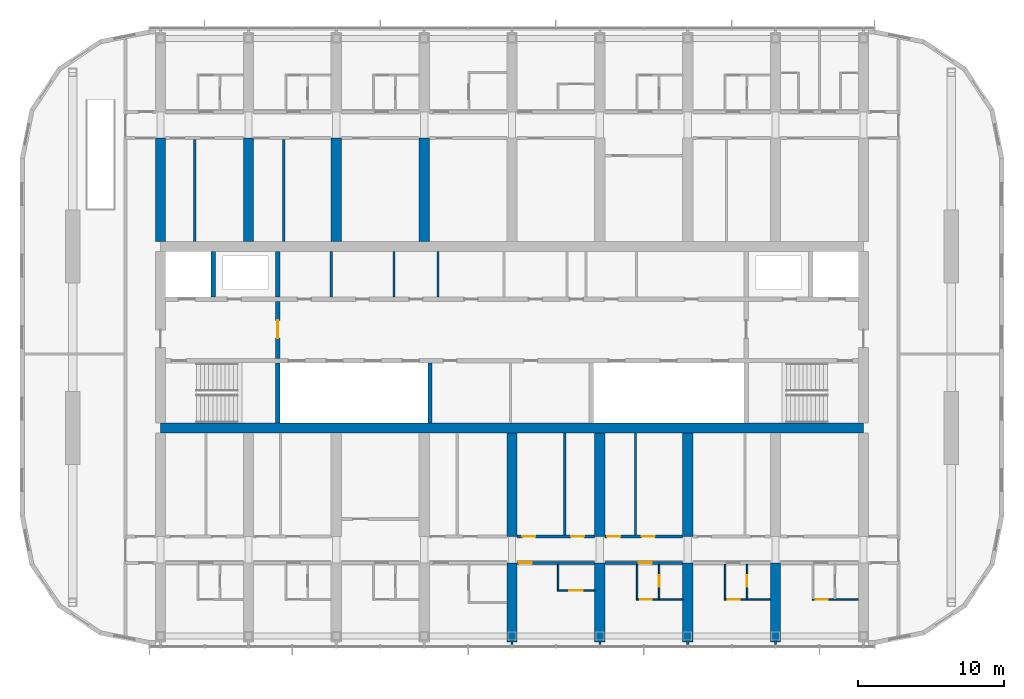
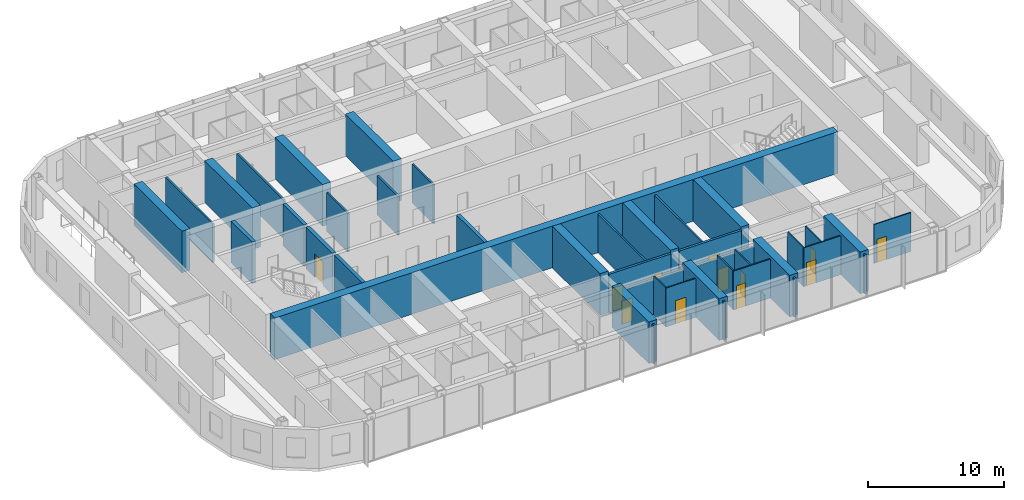
# One storey, part 12 of 23: 41 walls, 13 doors, 13 openings.
"""IFC4 building model written with IfcOpenShell, lengths in metres."""

from ifc_helpers import new_model, si_unit, direction, frame, frame_2d, origin, place, context, subcontext, project, spatial, polyline, rectangle, outline, extrude, material, layer, layer_set, type_object, element, fill, save


model = new_model("IFC4")

# Units and contexts
model_context = context("Model", 3, precision=1e-05, world=origin(), true_north=direction((0.0, 1.0)))
body_context = subcontext(model_context, "Body", "Model", "MODEL_VIEW")
ifc_project = project(units=[si_unit("LENGTHUNIT", "METRE"), si_unit("AREAUNIT", "SQUARE_METRE"), si_unit("VOLUMEUNIT", "CUBIC_METRE"), si_unit("PLANEANGLEUNIT", "RADIAN"), si_unit("MASSUNIT", "GRAM", prefix="KILO")], contexts=[model_context])

# Site, building, storey
site_placement = place(None, origin())
site = spatial("IfcSite", under=ifc_project, at=site_placement, CompositionType="ELEMENT")
building_placement = place(site_placement, origin())
building = spatial("IfcBuilding", under=site, at=building_placement, Name="Orbita Commons", CompositionType="ELEMENT")
storey_placement = place(building_placement, frame((0.0, 0.0, 250.300048828125)))
storey = spatial("IfcBuildingStorey", under=building, at=storey_placement, Name="L62", CompositionType="ELEMENT", Elevation=250.300048828125)

# Wall
ifc_material_1 = material(Name="Concrete C50/60", Category="concrete")
ifc_layer_1 = layer(ifc_material_1, 0.300048828125)
ifc_layer_set_1 = layer_set([ifc_layer_1], Name="Concrete C50/60")
wall_type_1 = type_object("IfcWallType", Name="Core inner wall 300 C50/60", PredefinedType="SHEAR", material=ifc_layer_set_1)
wall_1_placement = place(storey_placement, frame((26.0, 26.14990234375, 0.0), z_axis=(0.0, 0.0, 1.0), x_axis=(0.0, 1.0, 0.0)))
element("IfcWall", 1, at=wall_1_placement, inside=storey, type_object=wall_type_1, Name="Stair S1 wall L62", PredefinedType="SHEAR", context=body_context, shape_type="SweptSolid", body=[
    extrude(rectangle(XDim=4.10009765625, YDim=0.300048828125, at=frame_2d((2.050048828125, 0.0))), origin(), (0.0, 0.0, 1.0), 3.75),
])

# Wall, opening, door
wall_2_placement = place(storey_placement, frame((26.0, 30.550048828125, 0.0), z_axis=(0.0, 0.0, 1.0), x_axis=(0.0, 1.0, 0.0)))
wall_2 = element("IfcWall", 2, at=wall_2_placement, inside=storey, type_object=wall_type_1, Name="Firefighting lobby wall west L62", PredefinedType="SHEAR", context=body_context, shape_type="SweptSolid", body=[
    extrude(rectangle(XDim=3.89990234375, YDim=0.300048828125, at=frame_2d((1.949951171875, 0.0))), origin(), (0.0, 0.0, 1.0), 3.75),
])
opening_1_placement = place(wall_2_placement, frame((1.39990234375, 0.0, 0.0)))
opening_1 = element("IfcOpeningElement", 3, at=opening_1_placement, cuts=wall_2, Name="Opening D04", PredefinedType="OPENING", context=body_context, shape_type="SweptSolid", body=[
    extrude(rectangle(XDim=1.199951171875, YDim=2.10009765625, at=frame_2d((0.60009765625, 1.050048828125))), frame((0.0, 0.159912109375, 0.0), z_axis=(0.0, -1.0, 0.0), x_axis=(1.0, 0.0, 0.0)), (0.0, 0.0, 1.0), 0.320068359375),
])
ifc_material_2 = material(Name="Steel-faced fire door leaf", Category="steel")
door_type_1 = type_object("IfcDoorType", Name="Service door 20 min 1200x2100", OperationType="SINGLE_SWING_LEFT", PredefinedType="DOOR", material=ifc_material_2)
door_1_placement = place(opening_1_placement, origin())
door_1 = element("IfcDoor", 4, at=door_1_placement, inside=storey, type_object=door_type_1, Name="Lift lobby door west", OperationType="SINGLE_SWING_LEFT", OverallHeight=2.10009765625, OverallWidth=1.199951171875, PredefinedType="DOOR", context=body_context, shape_type="SweptSolid", body=[
    extrude(rectangle(XDim=1.199951171875, YDim=2.10009765625, at=frame_2d((0.60009765625, 1.050048828125))), frame((0.0, 0.02490234375, 0.0), z_axis=(0.0, -1.0, 0.0), x_axis=(1.0, 0.0, 0.0)), (0.0, 0.0, 1.0), 0.050048828125),
])
fill(opening_1, door_1)

# Walls
for number, where, z_axis, x_axis, name in (
    (5, (21.60009765625, 34.75, 0.0), (0.0, 0.0, 1.0), (0.0, 1.0, 0.0), "Firefighting lift FL1 shaft wall L62"),
    (6, (26.0, 34.75, 0.0), (0.0, 0.0, 1.0), (0.0, 1.0, 0.0), "Riser wall west L62"),
):
    element("IfcWall", number, at=place(storey_placement, frame(where, z_axis=z_axis, x_axis=x_axis)), inside=storey, type_object=wall_type_1, Name=name, PredefinedType="SHEAR", context=body_context, shape_type="SweptSolid", body=[
        extrude(rectangle(XDim=3.10009765625, YDim=0.300048828125, at=frame_2d((1.550048828125, 0.0))), origin(), (0.0, 0.0, 1.0), 3.75),
    ])
wall_3_placement = place(storey_placement, frame((36.39990234375, 26.14990234375, 0.0), z_axis=(0.0, 0.0, 1.0), x_axis=(0.0, 1.0, 0.0)))
element("IfcWall", 7, at=wall_3_placement, inside=storey, type_object=wall_type_1, Name="Hoistway division wall L62", PredefinedType="SHEAR", context=body_context, shape_type="SweptSolid", body=[
    extrude(rectangle(XDim=4.10009765625, YDim=0.300048828125, at=frame_2d((2.050048828125, 0.0))), origin(), (0.0, 0.0, 1.0), 3.75),
])
ifc_material_3 = material(Name="Concrete blockwork", Category="masonry")
ifc_layer_2 = layer(ifc_material_3, 0.14990234375)
ifc_layer_set_2 = layer_set([ifc_layer_2], Name="Concrete blockwork")
wall_type_2 = type_object("IfcWallType", Name="Core partition 150 blockwork", PredefinedType="SOLIDWALL", material=ifc_layer_set_2)
for number, where, z_axis, x_axis, name in (
    (8, (29.65087890625, 34.75, 0.0), (0.0, 0.0, 1.0), (0.0, 1.0, 0.0), "Core partition 150 blockwork L62"),
    (9, (33.9462890625, 34.75, 0.0), (0.0, 0.0, 1.0), (0.0, 1.0, 0.0), "Core partition 150 blockwork L62"),
    (10, (36.9462890625, 34.75, 0.0), (0.0, 0.0, 1.0), (0.0, 1.0, 0.0), "Core partition 150 blockwork L62"),
):
    element("IfcWall", number, at=place(storey_placement, frame(where, z_axis=z_axis, x_axis=x_axis)), inside=storey, type_object=wall_type_2, Name=name, PredefinedType="SOLIDWALL", context=body_context, shape_type="SweptSolid", body=[
        extrude(rectangle(XDim=3.10009765625, YDim=0.14990234375, at=frame_2d((1.550048828125, 0.0))), origin(), (0.0, 0.0, 1.0), 3.5),
    ])
ifc_material_4 = material(Name="Concrete C50/60", Category="concrete")
ifc_layer_3 = layer(ifc_material_4, 0.699951171875)
ifc_layer_set_3 = layer_set([ifc_layer_3], Name="Concrete C50/60")
wall_type_3 = type_object("IfcWallType", Name="Core wall 700 C50/60", PredefinedType="SHEAR", material=ifc_layer_set_3)
wall_4_placement = place(storey_placement, frame((18.0, 25.800048828125, 0.0), z_axis=(0.0, 0.0, 1.0), x_axis=(1.0, 0.0, 0.0)))
element("IfcWall", 11, at=wall_4_placement, inside=storey, type_object=wall_type_3, Name="Core spine wall south L62", PredefinedType="SHEAR", context=body_context, shape_type="SweptSolid", body=[
    extrude(rectangle(XDim=48.0, YDim=0.699951171875, at=frame_2d((24.0, 0.0))), origin(), (0.0, 0.0, 1.0), 3.75),
])

# Wall, opening, door
ifc_material_5 = material(Name="Concrete blockwork", Category="masonry")
ifc_layer_4 = layer(ifc_material_5, 0.199951171875)
ifc_layer_set_4 = layer_set([ifc_layer_4], Name="Concrete blockwork")
wall_type_4 = type_object("IfcWallType", Name="Corridor wall 200 blockwork", PredefinedType="SOLIDWALL", material=ifc_layer_set_4)
wall_5_placement = place(storey_placement, frame((42.35009765625, 16.60009765625, 0.0), z_axis=(0.0, 0.0, 1.0), x_axis=(1.0, 0.0, 0.0)))
wall_5 = element("IfcWall", 12, at=wall_5_placement, inside=storey, type_object=wall_type_4, Name="Corridor wall 200 blockwork L62", PredefinedType="SOLIDWALL", context=body_context, shape_type="SweptSolid", body=[
    extrude(outline(polyline([(0.0, 0.0), (5.2998046875, 0.0), (5.300048828125, 3.099853515625), (0.0, 3.099853515625), (0.0, 0.0)])), frame((0.0, 0.10009765625, 0.0), z_axis=(0.0, -1.0, 0.0), x_axis=(1.0, 0.0, 0.0)), (0.0, 0.0, 1.0), 0.199951171875),
])
opening_2_placement = place(wall_5_placement, frame((0.10009765625, 0.0, 0.0)))
opening_2 = element("IfcOpeningElement", 13, at=opening_2_placement, cuts=wall_5, Name="Opening D11", PredefinedType="OPENING", context=body_context, shape_type="SweptSolid", body=[
    extrude(rectangle(XDim=0.89990234375, YDim=2.10009765625, at=frame_2d((0.449951171875, 1.050048828125))), frame((0.0, 0.10986328125, 0.0), z_axis=(0.0, -1.0, 0.0), x_axis=(1.0, 0.0, 0.0)), (0.0, 0.0, 1.0), 0.219970703125),
])
ifc_material_6 = material(Name="Steel-faced fire door leaf", Category="steel")
door_type_2 = type_object("IfcDoorType", Name="Corridor door 20 min 900x2100", OperationType="SINGLE_SWING_LEFT", PredefinedType="DOOR", material=ifc_material_6)
door_2_placement = place(opening_2_placement, origin())
door_2 = element("IfcDoor", 14, at=door_2_placement, inside=storey, type_object=door_type_2, Name="Studio apartment with kitchenette L62-S08 door", OperationType="SINGLE_SWING_LEFT", OverallHeight=2.10009765625, OverallWidth=0.89990234375, PredefinedType="DOOR", context=body_context, shape_type="SweptSolid", body=[
    extrude(rectangle(XDim=0.89990234375, YDim=2.10009765625, at=frame_2d((0.449951171875, 1.050048828125))), frame((0.0, 0.02490234375, 0.0), z_axis=(0.0, -1.0, 0.0), x_axis=(1.0, 0.0, 0.0)), (0.0, 0.0, 1.0), 0.050048828125),
])
fill(opening_2, door_2)

wall_6_placement = place(storey_placement, frame((48.35009765625, 16.60009765625, 0.0), z_axis=(0.0, 0.0, 1.0), x_axis=(1.0, 0.0, 0.0)))
wall_6 = element("IfcWall", 15, at=wall_6_placement, inside=storey, type_object=wall_type_4, Name="Corridor wall 200 blockwork L62", PredefinedType="SOLIDWALL", context=body_context, shape_type="SweptSolid", body=[
    extrude(outline(polyline([(0.0, 0.0), (5.2998046875, 0.0), (5.300048828125, 3.099853515625), (0.0, 3.099853515625), (0.0, 0.0)])), frame((0.0, 0.10009765625, 0.0), z_axis=(0.0, -1.0, 0.0), x_axis=(1.0, 0.0, 0.0)), (0.0, 0.0, 1.0), 0.199951171875),
])
opening_3_placement = place(wall_6_placement, frame((2.300048828125, 0.0, 0.0)))
opening_3 = element("IfcOpeningElement", 16, at=opening_3_placement, cuts=wall_6, Name="Opening D11", PredefinedType="OPENING", context=body_context, shape_type="SweptSolid", body=[
    extrude(rectangle(XDim=0.89990234375, YDim=2.10009765625, at=frame_2d((0.449951171875, 1.050048828125))), frame((0.0, 0.10986328125, 0.0), z_axis=(0.0, -1.0, 0.0), x_axis=(1.0, 0.0, 0.0)), (0.0, 0.0, 1.0), 0.219970703125),
])
door_3_placement = place(opening_3_placement, origin())
door_3 = element("IfcDoor", 17, at=door_3_placement, inside=storey, type_object=door_type_2, Name="Studio flat L62-S10 entrance door", OperationType="SINGLE_SWING_LEFT", OverallHeight=2.10009765625, OverallWidth=0.89990234375, PredefinedType="DOOR", context=body_context, shape_type="SweptSolid", body=[
    extrude(rectangle(XDim=0.89990234375, YDim=2.10009765625, at=frame_2d((0.449951171875, 1.050048828125))), frame((0.0, 0.02490234375, 0.0), z_axis=(0.0, -1.0, 0.0), x_axis=(1.0, 0.0, 0.0)), (0.0, 0.0, 1.0), 0.050048828125),
])
fill(opening_3, door_3)

# Wall, openings, doors
ifc_material_7 = material(Name="Hollow concrete block 200", Category="concrete")
ifc_layer_5 = layer(ifc_material_7, 0.199951171875)
ifc_layer_set_5 = layer_set([ifc_layer_5], Name="Hollow concrete block 200")
wall_type_5 = type_object("IfcWallType", Name="Corridor wall 200 hollow concrete block", PredefinedType="SOLIDWALL", material=ifc_layer_set_5)
wall_7_placement = place(storey_placement, frame((42.35009765625, 18.39990234375, 0.0), z_axis=(0.0, 0.0, 1.0), x_axis=(1.0, 0.0, 0.0)))
wall_7 = element("IfcWall", 18, at=wall_7_placement, inside=storey, type_object=wall_type_5, Name="Corridor wall 200 hollow concrete block L62", PredefinedType="SOLIDWALL", context=body_context, shape_type="SweptSolid", body=[
    extrude(rectangle(XDim=5.2998046875, YDim=0.199951171875, at=frame_2d((2.64990234375, 0.0))), origin(), (0.0, 0.0, 1.0), 3.5),
])
opening_4_placement = place(wall_7_placement, frame((0.35009765625, 0.0, 0.0)))
opening_4 = element("IfcOpeningElement", 19, at=opening_4_placement, cuts=wall_7, Name="Opening D11", PredefinedType="OPENING", context=body_context, shape_type="SweptSolid", body=[
    extrude(rectangle(XDim=0.89990234375, YDim=2.10009765625, at=frame_2d((0.449951171875, 1.050048828125))), frame((0.0, 0.10986328125, 0.0), z_axis=(0.0, -1.0, 0.0), x_axis=(1.0, 0.0, 0.0)), (0.0, 0.0, 1.0), 0.219970703125),
])
opening_5_placement = place(wall_7_placement, frame((3.679931640625, 0.0, 0.0)))
opening_5 = element("IfcOpeningElement", 20, at=opening_5_placement, cuts=wall_7, Name="Opening D11", PredefinedType="OPENING", context=body_context, shape_type="SweptSolid", body=[
    extrude(rectangle(XDim=0.89990234375, YDim=2.10009765625, at=frame_2d((0.449951171875, 1.050048828125))), frame((0.0, 0.10986328125, 0.0), z_axis=(0.0, -1.0, 0.0), x_axis=(1.0, 0.0, 0.0)), (0.0, 0.0, 1.0), 0.219970703125),
])
door_4_placement = place(opening_4_placement, origin())
door_4 = element("IfcDoor", 21, at=door_4_placement, inside=storey, type_object=door_type_2, Name="IT and print room L62-BDS42 door", OperationType="SINGLE_SWING_LEFT", OverallHeight=2.10009765625, OverallWidth=0.89990234375, PredefinedType="DOOR", context=body_context, shape_type="SweptSolid", body=[
    extrude(rectangle(XDim=0.89990234375, YDim=2.10009765625, at=frame_2d((0.449951171875, 1.050048828125))), frame((0.0, 0.02490234375, 0.0), z_axis=(0.0, -1.0, 0.0), x_axis=(1.0, 0.0, 0.0)), (0.0, 0.0, 1.0), 0.050048828125),
])
fill(opening_4, door_4)
door_5_placement = place(opening_5_placement, origin())
door_5 = element("IfcDoor", 22, at=door_5_placement, inside=storey, type_object=door_type_2, Name="Sprinkler valve room L62-BDS42n door", OperationType="SINGLE_SWING_LEFT", OverallHeight=2.10009765625, OverallWidth=0.89990234375, PredefinedType="DOOR", context=body_context, shape_type="SweptSolid", body=[
    extrude(rectangle(XDim=0.89990234375, YDim=2.10009765625, at=frame_2d((0.449951171875, 1.050048828125))), frame((0.0, 0.02490234375, 0.0), z_axis=(0.0, -1.0, 0.0), x_axis=(1.0, 0.0, 0.0)), (0.0, 0.0, 1.0), 0.050048828125),
])
fill(opening_5, door_5)

wall_8_placement = place(storey_placement, frame((48.35009765625, 18.39990234375, 0.0), z_axis=(0.0, 0.0, 1.0), x_axis=(1.0, 0.0, 0.0)))
wall_8 = element("IfcWall", 23, at=wall_8_placement, inside=storey, type_object=wall_type_5, Name="Corridor wall 200 hollow concrete block L62", PredefinedType="SOLIDWALL", context=body_context, shape_type="SweptSolid", body=[
    extrude(rectangle(XDim=5.2998046875, YDim=0.199951171875, at=frame_2d((2.64990234375, 0.0))), origin(), (0.0, 0.0, 1.0), 3.5),
])
opening_6_placement = place(wall_8_placement, frame((0.14990234375, 0.0, 0.0)))
opening_6 = element("IfcOpeningElement", 24, at=opening_6_placement, cuts=wall_8, Name="Opening D11", PredefinedType="OPENING", context=body_context, shape_type="SweptSolid", body=[
    extrude(rectangle(XDim=0.89990234375, YDim=2.10009765625, at=frame_2d((0.449951171875, 1.050048828125))), frame((0.0, 0.10986328125, 0.0), z_axis=(0.0, -1.0, 0.0), x_axis=(1.0, 0.0, 0.0)), (0.0, 0.0, 1.0), 0.219970703125),
])
opening_7_placement = place(wall_8_placement, frame((2.510009765625, 0.0, 0.0)))
opening_7 = element("IfcOpeningElement", 25, at=opening_7_placement, cuts=wall_8, Name="Opening D11", PredefinedType="OPENING", context=body_context, shape_type="SweptSolid", body=[
    extrude(rectangle(XDim=0.89990234375, YDim=2.10009765625, at=frame_2d((0.449951171875, 1.050048828125))), frame((0.0, 0.10986328125, 0.0), z_axis=(0.0, -1.0, 0.0), x_axis=(1.0, 0.0, 0.0)), (0.0, 0.0, 1.0), 0.219970703125),
])
door_6_placement = place(opening_6_placement, origin())
door_6 = element("IfcDoor", 26, at=door_6_placement, inside=storey, type_object=door_type_2, Name="Water heater cupboard L62-BDS48n door", OperationType="SINGLE_SWING_LEFT", OverallHeight=2.10009765625, OverallWidth=0.89990234375, PredefinedType="DOOR", context=body_context, shape_type="SweptSolid", body=[
    extrude(rectangle(XDim=0.89990234375, YDim=2.10009765625, at=frame_2d((0.449951171875, 1.050048828125))), frame((0.0, 0.02490234375, 0.0), z_axis=(0.0, -1.0, 0.0), x_axis=(1.0, 0.0, 0.0)), (0.0, 0.0, 1.0), 0.050048828125),
])
fill(opening_6, door_6)
door_7_placement = place(opening_7_placement, origin())
door_7 = element("IfcDoor", 27, at=door_7_placement, inside=storey, type_object=door_type_2, Name="Ventilation plant room south L62-BDS48 door", OperationType="SINGLE_SWING_LEFT", OverallHeight=2.10009765625, OverallWidth=0.89990234375, PredefinedType="DOOR", context=body_context, shape_type="SweptSolid", body=[
    extrude(rectangle(XDim=0.89990234375, YDim=2.10009765625, at=frame_2d((0.449951171875, 1.050048828125))), frame((0.0, 0.02490234375, 0.0), z_axis=(0.0, -1.0, 0.0), x_axis=(1.0, 0.0, 0.0)), (0.0, 0.0, 1.0), 0.050048828125),
])
fill(opening_7, door_7)

# Walls
ifc_material_8 = material(Name="Concrete C50/60", Category="concrete")
ifc_layer_6 = layer(ifc_material_8, 0.699951171875)
ifc_layer_set_6 = layer_set([ifc_layer_6], Name="Concrete C50/60")
wall_type_6 = type_object("IfcWallType", Name="Cross wall 700 C50/60", PredefinedType="SHEAR", material=ifc_layer_set_6)
for number, where, z_axis, x_axis, name in (
    (28, (18.0, 38.550048828125, 0.0), (0.0, 0.0, 1.0), (0.0, 1.0, 0.0), "Cross wall 4 north inner L62"),
    (29, (24.0, 38.550048828125, 0.0), (0.0, 0.0, 1.0), (0.0, 1.0, 0.0), "Cross wall 5 north inner L62"),
    (30, (30.0, 38.550048828125, 0.0), (0.0, 0.0, 1.0), (0.0, 1.0, 0.0), "Cross wall 6 north inner L62"),
    (31, (36.0, 38.550048828125, 0.0), (0.0, 0.0, 1.0), (0.0, 1.0, 0.0), "Cross wall 7 north inner L62"),
):
    element("IfcWall", number, at=place(storey_placement, frame(where, z_axis=z_axis, x_axis=x_axis)), inside=storey, type_object=wall_type_6, Name=name, PredefinedType="SHEAR", context=body_context, shape_type="SweptSolid", body=[
        extrude(rectangle(XDim=7.050048828125, YDim=0.699951171875, at=frame_2d((3.52490234375, 0.0))), origin(), (0.0, 0.0, 1.0), 3.75),
    ])
wall_9_placement = place(storey_placement, frame((42.0, 11.199951171875, 0.0), z_axis=(0.0, 0.0, 1.0), x_axis=(0.0, 1.0, 0.0)))
element("IfcWall", 32, at=wall_9_placement, inside=storey, type_object=wall_type_6, Name="Cross wall 8 south outer L62", PredefinedType="SHEAR", context=body_context, shape_type="SweptSolid", body=[
    extrude(rectangle(XDim=5.400146484375, YDim=0.699951171875, at=frame_2d((2.7001953125, 0.0))), origin(), (0.0, 0.0, 1.0), 3.75),
])
wall_10_placement = place(storey_placement, frame((42.0, 18.39990234375, 0.0), z_axis=(0.0, 0.0, 1.0), x_axis=(0.0, 1.0, 0.0)))
element("IfcWall", 33, at=wall_10_placement, inside=storey, type_object=wall_type_6, Name="Cross wall 8 south inner L62", PredefinedType="SHEAR", context=body_context, shape_type="SweptSolid", body=[
    extrude(rectangle(XDim=7.050048828125, YDim=0.699951171875, at=frame_2d((3.52490234375, 0.0))), origin(), (0.0, 0.0, 1.0), 3.75),
])
wall_11_placement = place(storey_placement, frame((48.0, 11.199951171875, 0.0), z_axis=(0.0, 0.0, 1.0), x_axis=(0.0, 1.0, 0.0)))
element("IfcWall", 34, at=wall_11_placement, inside=storey, type_object=wall_type_6, Name="Cross wall 9 south outer L62", PredefinedType="SHEAR", context=body_context, shape_type="SweptSolid", body=[
    extrude(rectangle(XDim=5.400146484375, YDim=0.699951171875, at=frame_2d((2.7001953125, 0.0))), origin(), (0.0, 0.0, 1.0), 3.75),
])
wall_12_placement = place(storey_placement, frame((48.0, 18.39990234375, 0.0), z_axis=(0.0, 0.0, 1.0), x_axis=(0.0, 1.0, 0.0)))
element("IfcWall", 35, at=wall_12_placement, inside=storey, type_object=wall_type_6, Name="Cross wall 9 south inner L62", PredefinedType="SHEAR", context=body_context, shape_type="SweptSolid", body=[
    extrude(rectangle(XDim=7.050048828125, YDim=0.699951171875, at=frame_2d((3.52490234375, 0.0))), origin(), (0.0, 0.0, 1.0), 3.75),
])
wall_13_placement = place(storey_placement, frame((54.0, 11.199951171875, 0.0), z_axis=(0.0, 0.0, 1.0), x_axis=(0.0, 1.0, 0.0)))
element("IfcWall", 36, at=wall_13_placement, inside=storey, type_object=wall_type_6, Name="Cross wall 10 south outer L62", PredefinedType="SHEAR", context=body_context, shape_type="SweptSolid", body=[
    extrude(rectangle(XDim=5.400146484375, YDim=0.699951171875, at=frame_2d((2.7001953125, 0.0))), origin(), (0.0, 0.0, 1.0), 3.75),
])
wall_14_placement = place(storey_placement, frame((54.0, 18.39990234375, 0.0), z_axis=(0.0, 0.0, 1.0), x_axis=(0.0, 1.0, 0.0)))
element("IfcWall", 37, at=wall_14_placement, inside=storey, type_object=wall_type_6, Name="Cross wall 10 south inner L62", PredefinedType="SHEAR", context=body_context, shape_type="SweptSolid", body=[
    extrude(rectangle(XDim=7.050048828125, YDim=0.699951171875, at=frame_2d((3.52490234375, 0.0))), origin(), (0.0, 0.0, 1.0), 3.75),
])
wall_15_placement = place(storey_placement, frame((60.0, 11.199951171875, 0.0), z_axis=(0.0, 0.0, 1.0), x_axis=(0.0, 1.0, 0.0)))
element("IfcWall", 38, at=wall_15_placement, inside=storey, type_object=wall_type_6, Name="Cross wall 11 south outer L62", PredefinedType="SHEAR", context=body_context, shape_type="SweptSolid", body=[
    extrude(rectangle(XDim=5.400146484375, YDim=0.699951171875, at=frame_2d((2.7001953125, 0.0))), origin(), (0.0, 0.0, 1.0), 3.75),
])

# Wall, opening, door
ifc_material_9 = material(Name="Moisture-resistant plasterboard on steel studs", Category="steel")
ifc_layer_7 = layer(ifc_material_9, 0.10009765625)
ifc_layer_set_7 = layer_set([ifc_layer_7], Name="Moisture-resistant plasterboard on steel studs")
wall_type_7 = type_object("IfcWallType", Name="En-suite partition 100", PredefinedType="PARTITIONING", material=ifc_layer_set_7)
wall_16_placement = place(storey_placement, frame((47.64990234375, 14.699951171875, 0.0), z_axis=(0.0, 0.0, 1.0), x_axis=(-1.0, 0.0, 0.0)))
wall_16 = element("IfcWall", 39, at=wall_16_placement, inside=storey, type_object=wall_type_7, Name="En-suite partition 100 L62", PredefinedType="PARTITIONING", context=body_context, shape_type="SweptSolid", body=[
    extrude(rectangle(XDim=2.5498046875, YDim=0.10009765625, at=frame_2d((1.27490234375, 0.0))), origin(), (0.0, 0.0, 1.0), 3.5),
])
opening_8_placement = place(wall_16_placement, frame((0.824951171875, 0.0, 0.0)))
opening_8 = element("IfcOpeningElement", 40, at=opening_8_placement, cuts=wall_16, Name="Opening D09", PredefinedType="OPENING", context=body_context, shape_type="SweptSolid", body=[
    extrude(rectangle(XDim=0.89990234375, YDim=2.10009765625, at=frame_2d((0.449951171875, 1.050048828125))), frame((0.0, 0.06005859375, 0.0), z_axis=(0.0, -1.0, 0.0), x_axis=(1.0, 0.0, 0.0)), (0.0, 0.0, 1.0), 0.1201171875),
])
ifc_material_10 = material(Name="Laminated timber door leaf", Category="wood")
door_type_3 = type_object("IfcDoorType", Name="En-suite door 900x2100", OperationType="SINGLE_SWING_RIGHT", PredefinedType="DOOR", material=ifc_material_10)
door_8_placement = place(opening_8_placement, origin())
door_8 = element("IfcDoor", 41, at=door_8_placement, inside=storey, type_object=door_type_3, Name="En-suite L62-S08 door", OperationType="SINGLE_SWING_RIGHT", OverallHeight=2.10009765625, OverallWidth=0.89990234375, PredefinedType="DOOR", context=body_context, shape_type="SweptSolid", body=[
    extrude(rectangle(XDim=0.89990234375, YDim=2.10009765625, at=frame_2d((0.449951171875, 1.050048828125))), frame((0.0, 0.02490234375, 0.0), z_axis=(0.0, -1.0, 0.0), x_axis=(1.0, 0.0, 0.0)), (0.0, 0.0, 1.0), 0.050048828125),
])
fill(opening_8, door_8)

# Wall
wall_17_placement = place(storey_placement, frame((45.14990234375, 14.75, 0.0), z_axis=(0.0, 0.0, 1.0), x_axis=(0.0, 1.0, 0.0)))
element("IfcWall", 42, at=wall_17_placement, inside=storey, type_object=wall_type_7, Name="En-suite partition 100 L62", PredefinedType="PARTITIONING", context=body_context, shape_type="SweptSolid", body=[
    extrude(outline(polyline([(0.0, 0.0), (1.75, 0.0), (1.75, 3.099853515625), (1.701904296875, 3.099853515625), (1.699951171875, 3.5), (0.0, 3.5), (0.0, 0.0)])), frame((0.0, 0.050048828125, 0.0), z_axis=(0.0, -1.0, 0.0), x_axis=(1.0, 0.0, 0.0)), (0.0, 0.0, 1.0), 0.10009765625),
])

# Wall, opening, door
wall_18_placement = place(storey_placement, frame((53.64990234375, 14.10009765625, 0.0), z_axis=(0.0, 0.0, 1.0), x_axis=(-1.0, 0.0, 0.0)))
wall_18 = element("IfcWall", 43, at=wall_18_placement, inside=storey, type_object=wall_type_7, Name="En-suite partition 100 L62", PredefinedType="PARTITIONING", context=body_context, shape_type="SweptSolid", body=[
    extrude(rectangle(XDim=3.14990234375, YDim=0.10009765625, at=frame_2d((1.574951171875, 0.0))), origin(), (0.0, 0.0, 1.0), 3.5),
])
opening_9_placement = place(wall_18_placement, frame((2.10009765625, 0.0, 0.0)))
opening_9 = element("IfcOpeningElement", 44, at=opening_9_placement, cuts=wall_18, Name="Opening D16", PredefinedType="OPENING", context=body_context, shape_type="SweptSolid", body=[
    extrude(rectangle(XDim=0.800048828125, YDim=2.10009765625, at=frame_2d((0.39990234375, 1.050048828125))), frame((0.0, 0.06005859375, 0.0), z_axis=(0.0, -1.0, 0.0), x_axis=(1.0, 0.0, 0.0)), (0.0, 0.0, 1.0), 0.1201171875),
])
ifc_material_11 = material(Name="Laminated timber door leaf", Category="wood")
door_type_4 = type_object("IfcDoorType", Name="En-suite door 800x2100", OperationType="SINGLE_SWING_RIGHT", PredefinedType="DOOR", material=ifc_material_11)
door_9_placement = place(opening_9_placement, origin())
door_9 = element("IfcDoor", 45, at=door_9_placement, inside=storey, type_object=door_type_4, Name="Studio flat L62-S10 door", OperationType="SINGLE_SWING_RIGHT", OverallHeight=2.10009765625, OverallWidth=0.800048828125, PredefinedType="DOOR", context=body_context, shape_type="SweptSolid", body=[
    extrude(rectangle(XDim=0.800048828125, YDim=2.10009765625, at=frame_2d((0.39990234375, 1.050048828125))), frame((0.0, 0.02490234375, 0.0), z_axis=(0.0, -1.0, 0.0), x_axis=(1.0, 0.0, 0.0)), (0.0, 0.0, 1.0), 0.050048828125),
])
fill(opening_9, door_9)

# Wall
wall_19_placement = place(storey_placement, frame((50.550048828125, 14.14990234375, 0.0), z_axis=(0.0, 0.0, 1.0), x_axis=(0.0, 1.0, 0.0)))
element("IfcWall", 46, at=wall_19_placement, inside=storey, type_object=wall_type_7, Name="En-suite partition 100 L62", PredefinedType="PARTITIONING", context=body_context, shape_type="SweptSolid", body=[
    extrude(outline(polyline([(0.0, 0.0), (2.35009765625, 0.0), (2.35009765625, 3.099853515625), (2.302001953125, 3.099853515625), (2.300048828125, 3.5), (0.0, 3.5), (0.0, 0.0)])), frame((0.0, 0.050048828125, 0.0), z_axis=(0.0, -1.0, 0.0), x_axis=(1.0, 0.0, 0.0)), (0.0, 0.0, 1.0), 0.10009765625),
])

# Wall, opening, door
wall_20_placement = place(storey_placement, frame((52.050048828125, 14.14990234375, 0.0), z_axis=(0.0, 0.0, 1.0), x_axis=(0.0, 1.0, 0.0)))
wall_20 = element("IfcWall", 47, at=wall_20_placement, inside=storey, type_object=wall_type_7, Name="En-suite partition 100 L62", PredefinedType="PARTITIONING", context=body_context, shape_type="SweptSolid", body=[
    extrude(outline(polyline([(0.0, 0.0), (2.35009765625, 0.0), (2.35009765625, 3.099853515625), (2.302001953125, 3.099853515625), (2.300048828125, 3.5), (0.0, 3.5), (0.0, 0.0)])), frame((0.0, 0.050048828125, 0.0), z_axis=(0.0, -1.0, 0.0), x_axis=(1.0, 0.0, 0.0)), (0.0, 0.0, 1.0), 0.10009765625),
])
opening_10_placement = place(wall_20_placement, frame((0.800048828125, 0.0, 0.0)))
opening_10 = element("IfcOpeningElement", 48, at=opening_10_placement, cuts=wall_20, Name="Opening D16", PredefinedType="OPENING", context=body_context, shape_type="SweptSolid", body=[
    extrude(rectangle(XDim=0.800048828125, YDim=2.10009765625, at=frame_2d((0.39990234375, 1.050048828125))), frame((0.0, 0.06005859375, 0.0), z_axis=(0.0, -1.0, 0.0), x_axis=(1.0, 0.0, 0.0)), (0.0, 0.0, 1.0), 0.1201171875),
])
door_10_placement = place(opening_10_placement, origin())
door_10 = element("IfcDoor", 49, at=door_10_placement, inside=storey, type_object=door_type_4, Name="Studio flat shower room L62-S10 door", OperationType="SINGLE_SWING_RIGHT", OverallHeight=2.10009765625, OverallWidth=0.800048828125, PredefinedType="DOOR", context=body_context, shape_type="SweptSolid", body=[
    extrude(rectangle(XDim=0.800048828125, YDim=2.10009765625, at=frame_2d((0.39990234375, 1.050048828125))), frame((0.0, 0.02490234375, 0.0), z_axis=(0.0, -1.0, 0.0), x_axis=(1.0, 0.0, 0.0)), (0.0, 0.0, 1.0), 0.050048828125),
])
fill(opening_10, door_10)

wall_21_placement = place(storey_placement, frame((59.64990234375, 14.10009765625, 0.0), z_axis=(0.0, 0.0, 1.0), x_axis=(-1.0, 0.0, 0.0)))
wall_21 = element("IfcWall", 50, at=wall_21_placement, inside=storey, type_object=wall_type_7, Name="En-suite partition 100 L62", PredefinedType="PARTITIONING", context=body_context, shape_type="SweptSolid", body=[
    extrude(rectangle(XDim=3.14990234375, YDim=0.10009765625, at=frame_2d((1.574951171875, 0.0))), origin(), (0.0, 0.0, 1.0), 3.5),
])
opening_11_placement = place(wall_21_placement, frame((2.10009765625, 0.0, 0.0)))
opening_11 = element("IfcOpeningElement", 51, at=opening_11_placement, cuts=wall_21, Name="Opening D16", PredefinedType="OPENING", context=body_context, shape_type="SweptSolid", body=[
    extrude(rectangle(XDim=0.800048828125, YDim=2.10009765625, at=frame_2d((0.39990234375, 1.050048828125))), frame((0.0, 0.06005859375, 0.0), z_axis=(0.0, -1.0, 0.0), x_axis=(1.0, 0.0, 0.0)), (0.0, 0.0, 1.0), 0.1201171875),
])
door_11_placement = place(opening_11_placement, origin())
door_11 = element("IfcDoor", 52, at=door_11_placement, inside=storey, type_object=door_type_4, Name="Studio flat L62-S12 door", OperationType="SINGLE_SWING_RIGHT", OverallHeight=2.10009765625, OverallWidth=0.800048828125, PredefinedType="DOOR", context=body_context, shape_type="SweptSolid", body=[
    extrude(rectangle(XDim=0.800048828125, YDim=2.10009765625, at=frame_2d((0.39990234375, 1.050048828125))), frame((0.0, 0.02490234375, 0.0), z_axis=(0.0, -1.0, 0.0), x_axis=(1.0, 0.0, 0.0)), (0.0, 0.0, 1.0), 0.050048828125),
])
fill(opening_11, door_11)

# Wall
wall_22_placement = place(storey_placement, frame((56.550048828125, 14.14990234375, 0.0), z_axis=(0.0, 0.0, 1.0), x_axis=(0.0, 1.0, 0.0)))
element("IfcWall", 53, at=wall_22_placement, inside=storey, type_object=wall_type_7, Name="En-suite partition 100 L62", PredefinedType="PARTITIONING", context=body_context, shape_type="SweptSolid", body=[
    extrude(outline(polyline([(0.0, 0.0), (2.35009765625, 0.0), (2.35009765625, 3.099853515625), (2.302001953125, 3.099853515625), (2.300048828125, 3.5), (0.0, 3.5), (0.0, 0.0)])), frame((0.0, 0.050048828125, 0.0), z_axis=(0.0, -1.0, 0.0), x_axis=(1.0, 0.0, 0.0)), (0.0, 0.0, 1.0), 0.10009765625),
])

# Wall, opening, door
wall_23_placement = place(storey_placement, frame((58.050048828125, 14.14990234375, 0.0), z_axis=(0.0, 0.0, 1.0), x_axis=(0.0, 1.0, 0.0)))
wall_23 = element("IfcWall", 54, at=wall_23_placement, inside=storey, type_object=wall_type_7, Name="En-suite partition 100 L62", PredefinedType="PARTITIONING", context=body_context, shape_type="SweptSolid", body=[
    extrude(outline(polyline([(0.0, 0.0), (2.35009765625, 0.0), (2.35009765625, 3.099853515625), (2.302001953125, 3.099853515625), (2.300048828125, 3.5), (0.0, 3.5), (0.0, 0.0)])), frame((0.0, 0.050048828125, 0.0), z_axis=(0.0, -1.0, 0.0), x_axis=(1.0, 0.0, 0.0)), (0.0, 0.0, 1.0), 0.10009765625),
])
opening_12_placement = place(wall_23_placement, frame((0.800048828125, 0.0, 0.0)))
opening_12 = element("IfcOpeningElement", 55, at=opening_12_placement, cuts=wall_23, Name="Opening D16", PredefinedType="OPENING", context=body_context, shape_type="SweptSolid", body=[
    extrude(rectangle(XDim=0.800048828125, YDim=2.10009765625, at=frame_2d((0.39990234375, 1.050048828125))), frame((0.0, 0.06005859375, 0.0), z_axis=(0.0, -1.0, 0.0), x_axis=(1.0, 0.0, 0.0)), (0.0, 0.0, 1.0), 0.1201171875),
])
door_12_placement = place(opening_12_placement, origin())
door_12 = element("IfcDoor", 56, at=door_12_placement, inside=storey, type_object=door_type_4, Name="Studio flat shower room L62-S12 door", OperationType="SINGLE_SWING_RIGHT", OverallHeight=2.10009765625, OverallWidth=0.800048828125, PredefinedType="DOOR", context=body_context, shape_type="SweptSolid", body=[
    extrude(rectangle(XDim=0.800048828125, YDim=2.10009765625, at=frame_2d((0.39990234375, 1.050048828125))), frame((0.0, 0.02490234375, 0.0), z_axis=(0.0, -1.0, 0.0), x_axis=(1.0, 0.0, 0.0)), (0.0, 0.0, 1.0), 0.050048828125),
])
fill(opening_12, door_12)

wall_24_placement = place(storey_placement, frame((65.64990234375, 14.10009765625, 0.0), z_axis=(0.0, 0.0, 1.0), x_axis=(-1.0, 0.0, 0.0)))
wall_24 = element("IfcWall", 57, at=wall_24_placement, inside=storey, type_object=wall_type_7, Name="En-suite partition 100 L62", PredefinedType="PARTITIONING", context=body_context, shape_type="SweptSolid", body=[
    extrude(rectangle(XDim=3.14990234375, YDim=0.10009765625, at=frame_2d((1.574951171875, 0.0))), origin(), (0.0, 0.0, 1.0), 3.5),
])
opening_13_placement = place(wall_24_placement, frame((2.10009765625, 0.0, 0.0)))
opening_13 = element("IfcOpeningElement", 58, at=opening_13_placement, cuts=wall_24, Name="Opening D16", PredefinedType="OPENING", context=body_context, shape_type="SweptSolid", body=[
    extrude(rectangle(XDim=0.800048828125, YDim=2.10009765625, at=frame_2d((0.39990234375, 1.050048828125))), frame((0.0, 0.06005859375, 0.0), z_axis=(0.0, -1.0, 0.0), x_axis=(1.0, 0.0, 0.0)), (0.0, 0.0, 1.0), 0.1201171875),
])
door_13_placement = place(opening_13_placement, origin())
door_13 = element("IfcDoor", 59, at=door_13_placement, inside=storey, type_object=door_type_4, Name="Studio flat L62-S14 door", OperationType="SINGLE_SWING_RIGHT", OverallHeight=2.10009765625, OverallWidth=0.800048828125, PredefinedType="DOOR", context=body_context, shape_type="SweptSolid", body=[
    extrude(rectangle(XDim=0.800048828125, YDim=2.10009765625, at=frame_2d((0.39990234375, 1.050048828125))), frame((0.0, 0.02490234375, 0.0), z_axis=(0.0, -1.0, 0.0), x_axis=(1.0, 0.0, 0.0)), (0.0, 0.0, 1.0), 0.050048828125),
])
fill(opening_13, door_13)

# Walls
ifc_material_12 = material(Name="Gypsum plasterboard on steel studs", Category="steel")
ifc_layer_8 = layer(ifc_material_12, 0.14990234375)
ifc_layer_set_8 = layer_set([ifc_layer_8], Name="Gypsum plasterboard on steel studs")
wall_type_8 = type_object("IfcWallType", Name="Partition 150 plasterboard", PredefinedType="PARTITIONING", material=ifc_layer_set_8)
for number, where, z_axis, x_axis, name in (
    (60, (45.60498046875, 18.5, 0.0), (0.0, 0.0, 1.0), (0.0, 1.0, 0.0), "Partition 150 plasterboard L62"),
    (61, (50.43505859375, 18.5, 0.0), (0.0, 0.0, 1.0), (0.0, 1.0, 0.0), "Partition 150 plasterboard L62"),
    (62, (20.340087890625, 38.550048828125, 0.0), (0.0, 0.0, 1.0), (0.0, 1.0, 0.0), "Partition 150 plasterboard L62"),
    (63, (26.4150390625, 38.550048828125, 0.0), (0.0, 0.0, 1.0), (0.0, 1.0, 0.0), "Partition 150 plasterboard L62"),
):
    element("IfcWall", number, at=place(storey_placement, frame(where, z_axis=z_axis, x_axis=x_axis)), inside=storey, type_object=wall_type_8, Name=name, PredefinedType="PARTITIONING", context=body_context, shape_type="SweptSolid", body=[
        extrude(rectangle(XDim=6.949951171875, YDim=0.14990234375, at=frame_2d((3.47509765625, 0.0))), origin(), (0.0, 0.0, 1.0), 3.5),
    ])
for number, where, z_axis, x_axis, name in (
    (64, (42.0, 11.300048828125, 0.0), (0.0, 0.0, 1.0), (0.0, -1.0, 0.0), "Partition 150 plasterboard L62"),
    (65, (48.0, 11.300048828125, 0.0), (0.0, 0.0, 1.0), (0.0, -1.0, 0.0), "Partition 150 plasterboard L62"),
    (66, (54.0, 11.300048828125, 0.0), (0.0, 0.0, 1.0), (0.0, -1.0, 0.0), "Partition 150 plasterboard L62"),
    (67, (60.0, 11.300048828125, 0.0), (0.0, 0.0, 1.0), (0.0, -1.0, 0.0), "Partition 150 plasterboard L62"),
):
    element("IfcWall", number, at=place(storey_placement, frame(where, z_axis=z_axis, x_axis=x_axis)), inside=storey, type_object=wall_type_8, Name=name, PredefinedType="PARTITIONING", context=body_context, shape_type="SweptSolid", body=[
        extrude(rectangle(XDim=0.2900390625, YDim=0.14990234375, at=frame_2d((0.14501953125, 0.0))), origin(), (0.0, 0.0, 1.0), 3.5),
    ])

save(model, "model.ifc")
